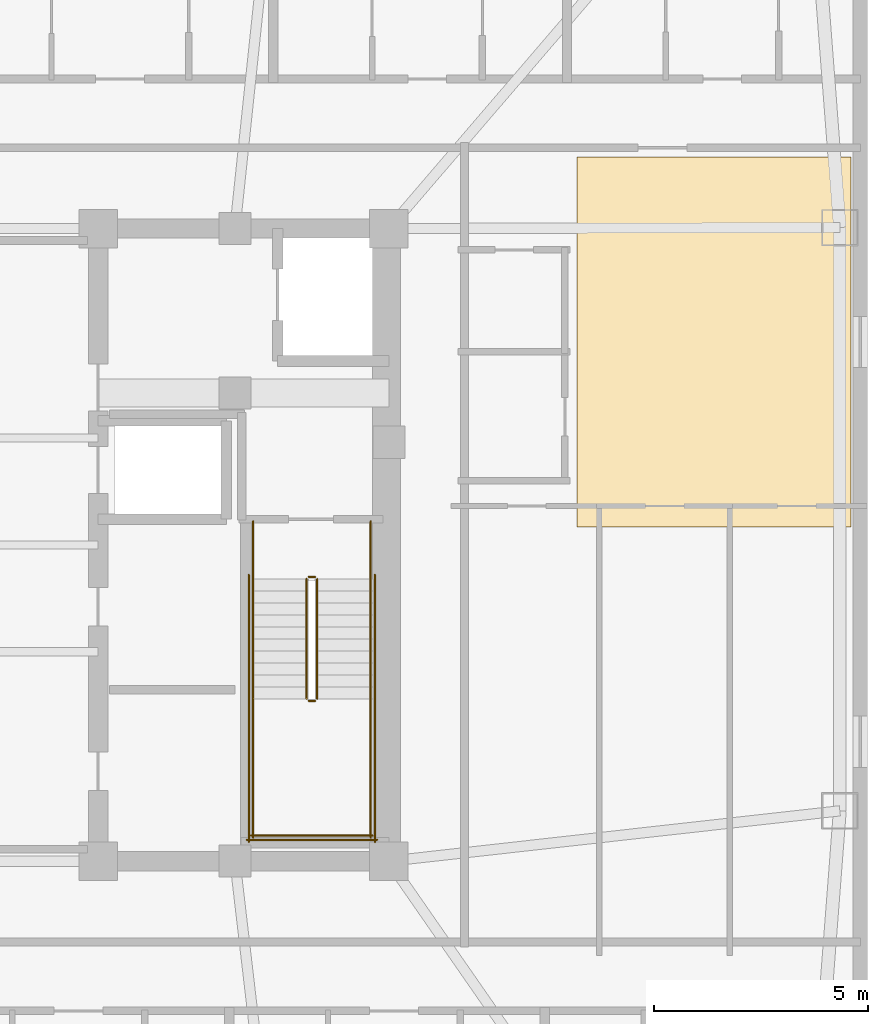
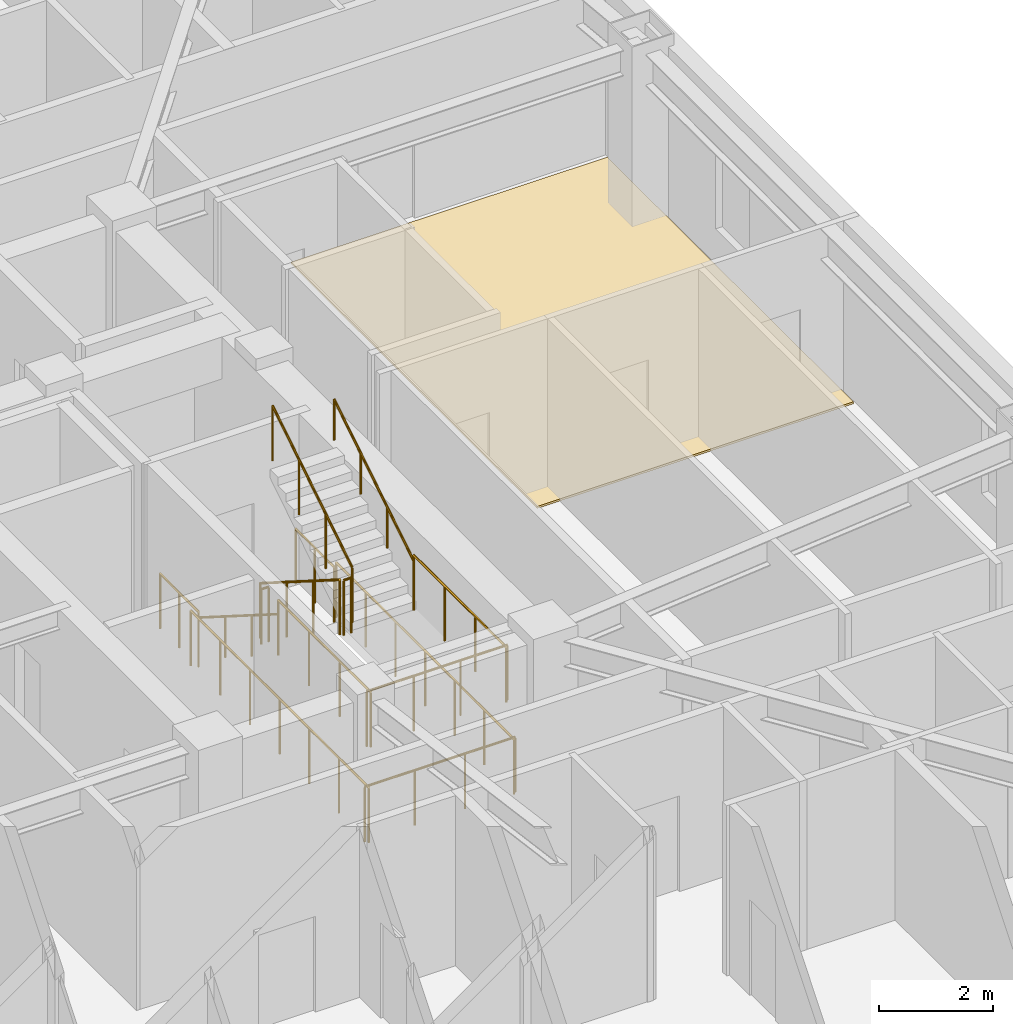
# One storey, part 11 of 11: 14 railings, 1 covering.
"""IFC4 building model written with IfcOpenShell, lengths in metres."""

from ifc_helpers import new_model, si_unit, direction, frame, origin, origin_2d, place, context, subcontext, project, spatial, polyline, circle, outline, extrude, material, layer, layer_set, type_object, element, save


model = new_model("IFC4")

# Units and contexts
model_context = context("Model", 3, precision=1e-05, world=origin(), true_north=direction((0.0, 1.0)))
body_context = subcontext(model_context, "Body", "Model", "MODEL_VIEW")
ifc_project = project(units=[si_unit("LENGTHUNIT", "METRE"), si_unit("AREAUNIT", "SQUARE_METRE"), si_unit("VOLUMEUNIT", "CUBIC_METRE"), si_unit("PLANEANGLEUNIT", "RADIAN"), si_unit("MASSUNIT", "GRAM", prefix="KILO")], contexts=[model_context])

# Site, building, storey
site_placement = place(None, origin())
site = spatial("IfcSite", under=ifc_project, at=site_placement, CompositionType="ELEMENT")
building_placement = place(site_placement, origin())
building = spatial("IfcBuilding", under=site, at=building_placement, Name="Voryun Gate Residences", CompositionType="ELEMENT")
storey_placement = place(building_placement, frame((0.0, 0.0, 243.10009765625)))
storey = spatial("IfcBuildingStorey", under=building, at=storey_placement, Name="L60", CompositionType="ELEMENT", Elevation=243.10009765625)

# Covering
ifc_material_1 = material(Name="Architectural oak flooring")
ifc_layer = layer(ifc_material_1, 0.044921875, Name="COV_FLOOR_ONDOL_OAK")
ifc_layer_set = layer_set([ifc_layer], Name="Architectural oak flooring")
covering_type = type_object("IfcCoveringType", Name="COV_FLOOR_ONDOL_OAK", PredefinedType="FLOORING", material=ifc_layer_set)
covering_placement = place(storey_placement, origin())
element("IfcCovering", 1, at=covering_placement, inside=storey, type_object=covering_type, Name="Ondol oak floor FLR-L60-01", PredefinedType="FLOORING", context=body_context, shape_type="SweptSolid", body=[
    extrude(outline(polyline([(23.60009765625, 0.419921875), (23.60009765625, 9.070068359375), (30.016845703125, 9.070068359375), (30.016845703125, 0.419921875), (23.60009765625, 0.419921875)])), origin(), (0.0, 0.0, 1.0), 0.044921875),
])

# Railings
ifc_material_2 = material(Name="Painted steel", Category="steel")
railing_type_1 = type_object("IfcRailingType", Name="RAIL_STAIR_GUARD_1200", PredefinedType="GUARDRAIL", material=ifc_material_2)
railing_1_placement = place(storey_placement, frame((17.27490234375, -0.800048828125, 0.17724609375)))
element("IfcRailing", 2, at=railing_1_placement, inside=storey, type_object=railing_type_1, Name="L60 ST-E1 stair guard 1", PredefinedType="GUARDRAIL", context=body_context, shape_type="SweptSolid", body=[
    extrude(circle(Radius=0.02392578125, at=origin_2d()), frame((0.0, 0.0, 1.17578125), z_axis=(0.0, -0.844908973607, 0.534910110503), x_axis=(1.0, 0.0, 0.0)), (0.0, 0.0, 1.0), 3.31396484375),
    extrude(circle(Radius=0.02099609375, at=origin_2d()), origin(), (0.0, 0.0, 1.0), 1.15185546875),
    extrude(circle(Radius=0.02099609375, at=origin_2d()), frame((0.0, -0.933349609375, 0.5908203125)), (0.0, 0.0, 1.0), 1.15185546875),
    extrude(circle(Radius=0.02099609375, at=origin_2d()), frame((0.0, -1.86669921875, 1.181884765625)), (0.0, 0.0, 1.0), 1.15185546875),
    extrude(circle(Radius=0.02099609375, at=origin_2d()), frame((0.0, -2.800048828125, 1.772705078125)), (0.0, 0.0, 1.0), 1.15185546875),
])
railing_2_placement = place(storey_placement, frame((17.324951171875, -3.64990234375, 1.949951171875)))
element("IfcRailing", 3, at=railing_2_placement, inside=storey, type_object=railing_type_1, Name="L60 ST-E1 stair guard 2", PredefinedType="GUARDRAIL", context=body_context, shape_type="SweptSolid", body=[
    extrude(circle(Radius=0.02392578125, at=origin_2d()), frame((0.0, 0.0, 1.17578125), z_axis=(1.0, 0.0, 0.0), x_axis=(0.0, 1.0, 0.0)), (0.0, 0.0, 1.0), 0.150146484375),
    extrude(circle(Radius=0.02099609375, at=origin_2d()), origin(), (0.0, 0.0, 1.0), 1.15185546875),
    extrude(circle(Radius=0.02099609375, at=origin_2d()), frame((0.150146484375, 0.0, 0.0)), (0.0, 0.0, 1.0), 1.15185546875),
])
for number, where, name in (
    (4, (16.02490234375, -3.60009765625, 1.949951171875), "L60 ST-E1 stair guard 3"),
    (5, (18.77490234375, -3.60009765625, 1.949951171875), "L60 ST-E1 stair guard 4"),
):
    element("IfcRailing", number, at=place(storey_placement, frame(where)), inside=storey, type_object=railing_type_1, Name=name, PredefinedType="GUARDRAIL", context=body_context, shape_type="SweptSolid", body=[
        extrude(circle(Radius=0.02392578125, at=origin_2d()), frame((0.0, 0.0, 1.17578125), z_axis=(0.0, -1.0, 0.0), x_axis=(1.0, 0.0, 0.0)), (0.0, 0.0, 1.0), 3.25),
        extrude(circle(Radius=0.02099609375, at=origin_2d()), origin(), (0.0, 0.0, 1.0), 1.15185546875),
        extrude(circle(Radius=0.02099609375, at=origin_2d()), frame((0.0, -1.083251953125, 0.0)), (0.0, 0.0, 1.0), 1.15185546875),
        extrude(circle(Radius=0.02099609375, at=origin_2d()), frame((0.0, -2.166748046875, 0.0)), (0.0, 0.0, 1.0), 1.15185546875),
        extrude(circle(Radius=0.02099609375, at=origin_2d()), frame((0.0, -3.25, 0.0)), (0.0, 0.0, 1.0), 1.15185546875),
    ])
railing_3_placement = place(storey_placement, frame((15.97509765625, -6.800048828125, 1.949951171875)))
element("IfcRailing", 6, at=railing_3_placement, inside=storey, type_object=railing_type_1, Name="L60 ST-E1 stair guard 5", PredefinedType="GUARDRAIL", context=body_context, shape_type="SweptSolid", body=[
    extrude(circle(Radius=0.02392578125, at=origin_2d()), frame((0.0, 0.0, 1.17578125), z_axis=(1.0, 0.0, 0.0), x_axis=(0.0, 1.0, 0.0)), (0.0, 0.0, 1.0), 2.849853515625),
    extrude(circle(Radius=0.02099609375, at=origin_2d()), origin(), (0.0, 0.0, 1.0), 1.15185546875),
    extrude(circle(Radius=0.02099609375, at=origin_2d()), frame((0.949951171875, 0.0, 0.0)), (0.0, 0.0, 1.0), 1.15185546875),
    extrude(circle(Radius=0.02099609375, at=origin_2d()), frame((1.89990234375, 0.0, 0.0)), (0.0, 0.0, 1.0), 1.15185546875),
    extrude(circle(Radius=0.02099609375, at=origin_2d()), frame((2.849853515625, 0.0, 0.0)), (0.0, 0.0, 1.0), 1.15185546875),
])
railing_4_placement = place(storey_placement, frame((17.52490234375, -3.60009765625, 2.127197265625)))
element("IfcRailing", 7, at=railing_4_placement, inside=storey, type_object=railing_type_1, Name="L60 ST-E1 stair guard 6", PredefinedType="GUARDRAIL", context=body_context, shape_type="SweptSolid", body=[
    extrude(circle(Radius=0.02392578125, at=origin_2d()), frame((0.0, 0.0, 1.17578125), z_axis=(0.0, 0.844908973607, 0.534910110503), x_axis=(-1.0, 0.0, 0.0)), (0.0, 0.0, 1.0), 3.31396484375),
    extrude(circle(Radius=0.02099609375, at=origin_2d()), origin(), (0.0, 0.0, 1.0), 1.15185546875),
    extrude(circle(Radius=0.02099609375, at=origin_2d()), frame((0.0, 0.933349609375, 0.5908203125)), (0.0, 0.0, 1.0), 1.15185546875),
    extrude(circle(Radius=0.02099609375, at=origin_2d()), frame((0.0, 1.86669921875, 1.181884765625)), (0.0, 0.0, 1.0), 1.15185546875),
    extrude(circle(Radius=0.02099609375, at=origin_2d()), frame((0.0, 2.800048828125, 1.772705078125)), (0.0, 0.0, 1.0), 1.15185546875),
])
railing_5_placement = place(storey_placement, frame((17.324951171875, -0.75, 0.0)))
element("IfcRailing", 8, at=railing_5_placement, inside=storey, type_object=railing_type_1, Name="L60 ST-E1 stair guard 7", PredefinedType="GUARDRAIL", context=body_context, shape_type="SweptSolid", body=[
    extrude(circle(Radius=0.02392578125, at=origin_2d()), frame((0.0, 0.0, 1.17578125), z_axis=(1.0, 0.0, 0.0), x_axis=(0.0, 1.0, 0.0)), (0.0, 0.0, 1.0), 0.150146484375),
    extrude(circle(Radius=0.02099609375, at=origin_2d()), origin(), (0.0, 0.0, 1.0), 1.15185546875),
    extrude(circle(Radius=0.02099609375, at=origin_2d()), frame((0.150146484375, 0.0, 0.0)), (0.0, 0.0, 1.0), 1.15185546875),
])
for number, where, name in (
    (9, (16.02490234375, 0.550048828125, 0.0), "L60 ST-E1 stair guard 8"),
    (10, (18.77490234375, 0.550048828125, 0.0), "L60 ST-E1 stair guard 9"),
):
    element("IfcRailing", number, at=place(storey_placement, frame(where)), inside=storey, type_object=railing_type_1, Name=name, PredefinedType="GUARDRAIL", context=body_context, shape_type="SweptSolid", body=[
        extrude(circle(Radius=0.02392578125, at=origin_2d()), frame((0.0, 0.0, 1.17578125), z_axis=(0.0, -1.0, 0.0), x_axis=(1.0, 0.0, 0.0)), (0.0, 0.0, 1.0), 1.35009765625),
        extrude(circle(Radius=0.02099609375, at=origin_2d()), origin(), (0.0, 0.0, 1.0), 1.15185546875),
        extrude(circle(Radius=0.02099609375, at=origin_2d()), frame((0.0, -0.675048828125, 0.0)), (0.0, 0.0, 1.0), 1.15185546875),
        extrude(circle(Radius=0.02099609375, at=origin_2d()), frame((0.0, -1.35009765625, 0.0)), (0.0, 0.0, 1.0), 1.15185546875),
    ])
for number, where, name in (
    (11, (15.925048828125, -0.699951171875, 0.0), "L60 ST-E1 stair guard 10"),
    (12, (18.875, -0.699951171875, 0.0), "L60 ST-E1 stair guard 11"),
):
    element("IfcRailing", number, at=place(storey_placement, frame(where)), inside=storey, type_object=railing_type_1, Name=name, PredefinedType="GUARDRAIL", context=body_context, shape_type="SweptSolid", body=[
        extrude(circle(Radius=0.02392578125, at=origin_2d()), frame((0.0, 0.0, 1.17578125), z_axis=(0.0, -1.0, 0.0), x_axis=(1.0, 0.0, 0.0)), (0.0, 0.0, 1.0), 6.25),
        extrude(circle(Radius=0.02099609375, at=origin_2d()), origin(), (0.0, 0.0, 1.0), 1.15185546875),
        extrude(circle(Radius=0.02099609375, at=origin_2d()), frame((0.0, -1.041748046875, 0.0)), (0.0, 0.0, 1.0), 1.15185546875),
        extrude(circle(Radius=0.02099609375, at=origin_2d()), frame((0.0, -2.083251953125, 0.0)), (0.0, 0.0, 1.0), 1.15185546875),
        extrude(circle(Radius=0.02099609375, at=origin_2d()), frame((0.0, -3.125, 0.0)), (0.0, 0.0, 1.0), 1.15185546875),
        extrude(circle(Radius=0.02099609375, at=origin_2d()), frame((0.0, -4.166748046875, 0.0)), (0.0, 0.0, 1.0), 1.15185546875),
        extrude(circle(Radius=0.02099609375, at=origin_2d()), frame((0.0, -5.208251953125, 0.0)), (0.0, 0.0, 1.0), 1.15185546875),
        extrude(circle(Radius=0.02099609375, at=origin_2d()), frame((0.0, -6.25, 0.0)), (0.0, 0.0, 1.0), 1.15185546875),
    ])
railing_6_placement = place(storey_placement, frame((15.875, -6.89990234375, 0.0)))
element("IfcRailing", 13, at=railing_6_placement, inside=storey, type_object=railing_type_1, Name="L60 ST-E1 stair guard 12", PredefinedType="GUARDRAIL", context=body_context, shape_type="SweptSolid", body=[
    extrude(circle(Radius=0.02392578125, at=origin_2d()), frame((0.0, 0.0, 1.17578125), z_axis=(1.0, 0.0, 0.0), x_axis=(0.0, 1.0, 0.0)), (0.0, 0.0, 1.0), 3.050048828125),
    extrude(circle(Radius=0.02099609375, at=origin_2d()), origin(), (0.0, 0.0, 1.0), 1.15185546875),
    extrude(circle(Radius=0.02099609375, at=origin_2d()), frame((1.0166015625, 0.0, 0.0)), (0.0, 0.0, 1.0), 1.15185546875),
    extrude(circle(Radius=0.02099609375, at=origin_2d()), frame((2.033447265625, 0.0, 0.0)), (0.0, 0.0, 1.0), 1.15185546875),
    extrude(circle(Radius=0.02099609375, at=origin_2d()), frame((3.050048828125, 0.0, 0.0)), (0.0, 0.0, 1.0), 1.15185546875),
])
ifc_material_3 = material(Name="Painted steel", Category="steel")
railing_type_2 = type_object("IfcRailingType", Name="RAIL_STAIR_HANDRAIL_900", PredefinedType="HANDRAIL", material=ifc_material_3)
railing_7_placement = place(storey_placement, frame((16.02490234375, -0.800048828125, 0.17724609375)))
element("IfcRailing", 14, at=railing_7_placement, inside=storey, type_object=railing_type_2, Name="L60 ST-E1 stair handrail 1", PredefinedType="HANDRAIL", context=body_context, shape_type="SweptSolid", body=[
    extrude(circle(Radius=0.02392578125, at=origin_2d()), frame((0.0, 0.0, 0.8759765625), z_axis=(0.0, -0.844908973607, 0.534910110503), x_axis=(1.0, 0.0, 0.0)), (0.0, 0.0, 1.0), 3.31396484375),
    extrude(circle(Radius=0.02099609375, at=origin_2d()), origin(), (0.0, 0.0, 1.0), 0.851806640625),
    extrude(circle(Radius=0.02099609375, at=origin_2d()), frame((0.0, -0.933349609375, 0.5908203125)), (0.0, 0.0, 1.0), 0.851806640625),
    extrude(circle(Radius=0.02099609375, at=origin_2d()), frame((0.0, -1.86669921875, 1.181884765625)), (0.0, 0.0, 1.0), 0.851806640625),
    extrude(circle(Radius=0.02099609375, at=origin_2d()), frame((0.0, -2.800048828125, 1.772705078125)), (0.0, 0.0, 1.0), 0.851806640625),
])
railing_8_placement = place(storey_placement, frame((18.77490234375, -3.60009765625, 2.127197265625)))
element("IfcRailing", 15, at=railing_8_placement, inside=storey, type_object=railing_type_2, Name="L60 ST-E1 stair handrail 2", PredefinedType="HANDRAIL", context=body_context, shape_type="SweptSolid", body=[
    extrude(circle(Radius=0.02392578125, at=origin_2d()), frame((0.0, 0.0, 0.8759765625), z_axis=(0.0, 0.844908973607, 0.534910110503), x_axis=(-1.0, 0.0, 0.0)), (0.0, 0.0, 1.0), 3.31396484375),
    extrude(circle(Radius=0.02099609375, at=origin_2d()), origin(), (0.0, 0.0, 1.0), 0.851806640625),
    extrude(circle(Radius=0.02099609375, at=origin_2d()), frame((0.0, 0.933349609375, 0.5908203125)), (0.0, 0.0, 1.0), 0.851806640625),
    extrude(circle(Radius=0.02099609375, at=origin_2d()), frame((0.0, 1.86669921875, 1.181884765625)), (0.0, 0.0, 1.0), 0.851806640625),
    extrude(circle(Radius=0.02099609375, at=origin_2d()), frame((0.0, 2.800048828125, 1.772705078125)), (0.0, 0.0, 1.0), 0.851806640625),
])

save(model, "model.ifc")
